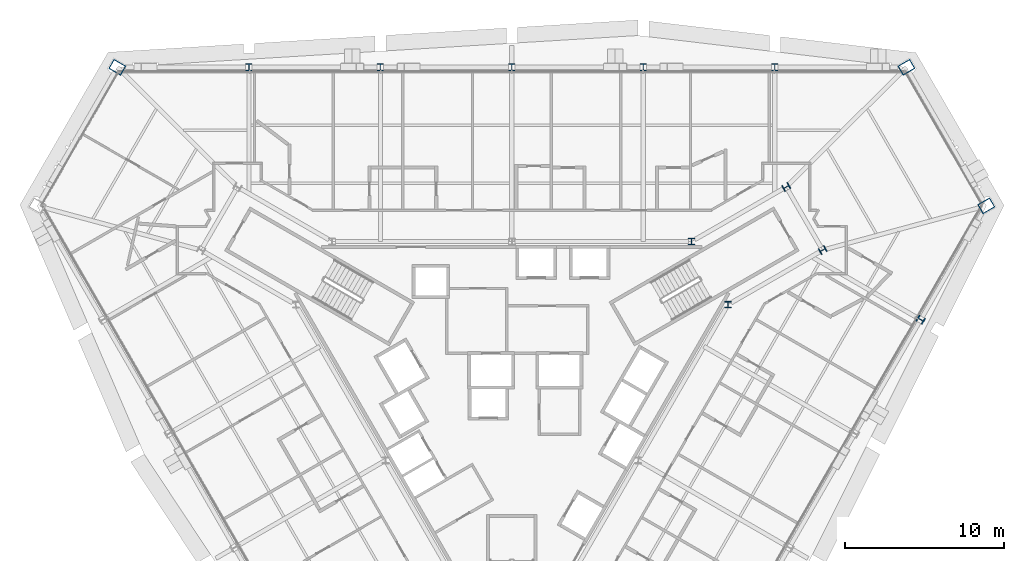
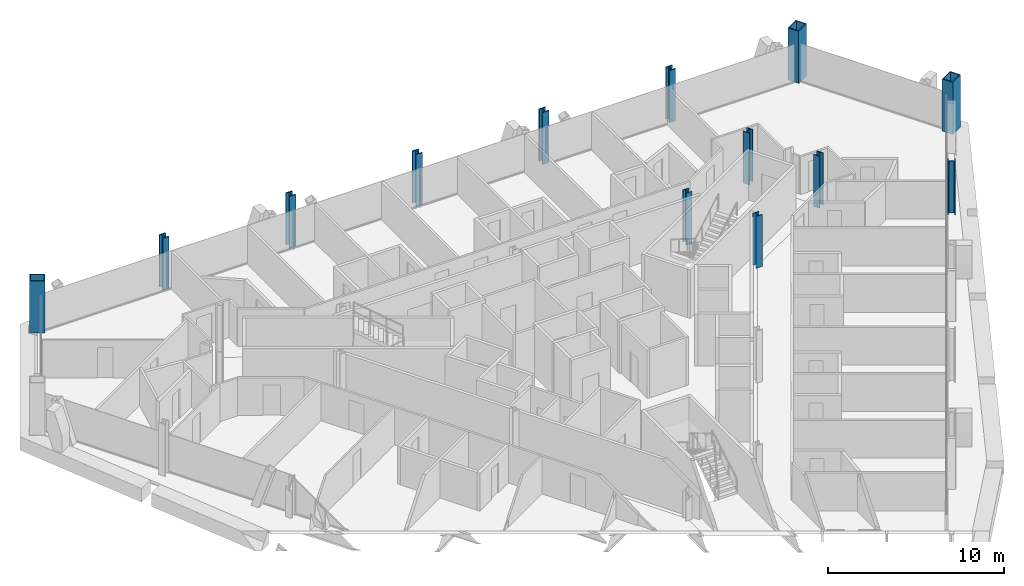
# One storey, part 2 of 17: 13 columns.
"""IFC4 building model written with IfcOpenShell, lengths in metres."""

from ifc_helpers import new_model, si_unit, direction, frame, origin, origin_2d, place, context, subcontext, project, spatial, hollow_rectangle, i_section, extrude, material, material_profile, profile_set, type_object, element, save


model = new_model("IFC4")

# Units and contexts
model_context = context("Model", 3, precision=1e-05, world=origin(), true_north=direction((0.0, 1.0)))
body_context = subcontext(model_context, "Body", "Model", "MODEL_VIEW")
ifc_project = project(units=[si_unit("LENGTHUNIT", "METRE"), si_unit("AREAUNIT", "SQUARE_METRE"), si_unit("VOLUMEUNIT", "CUBIC_METRE"), si_unit("PLANEANGLEUNIT", "RADIAN"), si_unit("MASSUNIT", "GRAM", prefix="KILO")], contexts=[model_context])

# Site, building, storey
site_placement = place(None, origin())
site = spatial("IfcSite", under=ifc_project, at=site_placement, CompositionType="ELEMENT")
building_placement = place(site_placement, origin())
building = spatial("IfcBuilding", under=site, at=building_placement, Name="Verrane Prism Tower", CompositionType="ELEMENT")
storey_placement = place(building_placement, frame((0.0, 0.0, 136.0)))
storey = spatial("IfcBuildingStorey", under=building, at=storey_placement, Name="L33", CompositionType="ELEMENT", Elevation=136.0)

# Columns
ifc_material_1 = material(Name="Steel A992", Category="steel")
ifc_material_profile_1 = material_profile(ifc_material_1, i_section(OverallWidth=0.411376953125, OverallDepth=0.434326171875, WebThickness=0.035888671875, FlangeThickness=0.057373046875, FilletRadius=0.01513671875, at=origin_2d()), Name="W14x311")
ifc_profile_set_1 = profile_set([ifc_material_profile_1], Name="Steel A992")
column_type_1 = type_object("IfcColumnType", Name="Core corner column W14x311", PredefinedType="COLUMN", material=ifc_profile_set_1)
for number, where, z_axis, x_axis, name in (
    (1, (19.60009765625, 8.659912109375, 0.0), (0.0, 0.0, 1.0), (0.5, -0.866025403784, 0.0), "Core corner column CK-NEm L33"),
    (2, (17.300048828125, 12.639892578125, 0.0), (0.0, 0.0, 1.0), (0.5, -0.866025403784, 0.0), "Core corner column CK-NEp L33"),
):
    element("IfcColumn", number, at=place(storey_placement, frame(where, z_axis=z_axis, x_axis=x_axis)), inside=storey, type_object=column_type_1, Name=name, PredefinedType="COLUMN", context=body_context, shape_type="SweptSolid", body=[
        extrude(i_section(OverallWidth=0.411376953125, OverallDepth=0.434326171875, WebThickness=0.035888671875, FlangeThickness=0.057373046875, FilletRadius=0.01513671875, at=origin_2d()), origin(), (0.0, 0.0, 1.0), 3.60009765625),
    ])
ifc_material_2 = material(Name="Steel A992", Category="steel")
ifc_material_profile_2 = material_profile(ifc_material_2, i_section(OverallWidth=0.4013671875, OverallDepth=0.398681640625, WebThickness=0.02490234375, FlangeThickness=0.03955078125, FilletRadius=0.01513671875, at=origin_2d()), Name="W14x211")
ifc_profile_set_2 = profile_set([ifc_material_profile_2], Name="Steel A992")
column_type_2 = type_object("IfcColumnType", Name="Core side column W14x211", PredefinedType="COLUMN", material=ifc_profile_set_2)
for number, where, z_axis, x_axis, name in (
    (3, (13.6298828125, 5.219970703125, 0.0), (0.0, 0.0, 1.0), (1.0, 0.0, 0.0), "Core side column CC-NEm L33"),
    (4, (11.330078125, 9.199951171875, 0.0), (0.0, 0.0, 1.0), (1.0, 0.0, 0.0), "Core side column CC-NEp L33"),
):
    element("IfcColumn", number, at=place(storey_placement, frame(where, z_axis=z_axis, x_axis=x_axis)), inside=storey, type_object=column_type_2, Name=name, PredefinedType="COLUMN", context=body_context, shape_type="SweptSolid", body=[
        extrude(i_section(OverallWidth=0.4013671875, OverallDepth=0.398681640625, WebThickness=0.02490234375, FlangeThickness=0.03955078125, FilletRadius=0.01513671875, at=origin_2d()), origin(), (0.0, 0.0, 1.0), 3.60009765625),
    ])
ifc_material_3 = material(Name="Steel A572 Grade 50", Category="steel")
ifc_material_profile_3 = material_profile(ifc_material_3, hollow_rectangle(XDim=0.699951171875, YDim=0.89990234375, WallThickness=0.06494140625, at=origin_2d()), Name="BOX 900x700x65")
ifc_profile_set_3 = profile_set([ifc_material_profile_3], Name="Steel A572 Grade 50")
column_type_3 = type_object("IfcColumnType", Name="Megacolumn BOX 900x700x65", PredefinedType="COLUMN", material=ifc_profile_set_3)
for number, where, z_axis, x_axis, name in (
    (5, (24.8798828125, 20.18994140625, 0.0), (0.0, 0.0, 1.0), (0.5, -0.866025403784, 0.0), "Megacolumn MC-NE.b L33"),
    (6, (-24.8798828125, 20.18994140625, 0.0), (0.0, 0.0, 1.0), (0.5, 0.866025403784, 0.0), "Megacolumn MC-NW.a L33"),
    (7, (29.919921875, 11.449951171875, 0.0), (0.0, 0.0, 1.0), (0.5, -0.866025403784, 0.0), "Megacolumn MC-NE.a L33"),
):
    element("IfcColumn", number, at=place(storey_placement, frame(where, z_axis=z_axis, x_axis=x_axis)), inside=storey, type_object=column_type_3, Name=name, PredefinedType="COLUMN", context=body_context, shape_type="SweptSolid", body=[
        extrude(hollow_rectangle(XDim=0.699951171875, YDim=0.89990234375, WallThickness=0.06494140625, at=origin_2d()), origin(), (0.0, 0.0, 1.0), 3.60009765625),
    ])
ifc_material_4 = material(Name="Steel A992", Category="steel")
ifc_material_profile_4 = material_profile(ifc_material_4, i_section(OverallWidth=0.419189453125, OverallDepth=0.45458984375, WebThickness=0.042236328125, FlangeThickness=0.067626953125, FilletRadius=0.01513671875, at=origin_2d()), Name="W14x370")
ifc_profile_set_4 = profile_set([ifc_material_profile_4], Name="Steel A992")
column_type_4 = type_object("IfcColumnType", Name="Perimeter column W14x370", PredefinedType="COLUMN", material=ifc_profile_set_4)
for number, where, z_axis, x_axis, name in (
    (8, (16.580078125, 20.18994140625, 0.0), (0.0, 0.0, 1.0), (1.0, 0.0, 0.0), "Perimeter column PC-N1 L33"),
    (9, (8.2900390625, 20.18994140625, 0.0), (0.0, 0.0, 1.0), (1.0, 0.0, 0.0), "Perimeter column PC-N2 L33"),
    (10, (0.0, 20.18994140625, 0.0), (0.0, 0.0, 1.0), (1.0, 0.0, 0.0), "Perimeter column PC-N3 L33"),
    (11, (-8.2900390625, 20.18994140625, 0.0), (0.0, 0.0, 1.0), (1.0, 0.0, 0.0), "Perimeter column PC-N4 L33"),
    (12, (-16.580078125, 20.18994140625, 0.0), (0.0, 0.0, 1.0), (1.0, 0.0, 0.0), "Perimeter column PC-N5 L33"),
    (13, (25.780029296875, 4.27001953125, 0.0), (0.0, 0.0, 1.0), (-0.5, -0.866025403784, 0.0), "Perimeter column PC-SE5 L33"),
):
    element("IfcColumn", number, at=place(storey_placement, frame(where, z_axis=z_axis, x_axis=x_axis)), inside=storey, type_object=column_type_4, Name=name, PredefinedType="COLUMN", context=body_context, shape_type="SweptSolid", body=[
        extrude(i_section(OverallWidth=0.419189453125, OverallDepth=0.45458984375, WebThickness=0.042236328125, FlangeThickness=0.067626953125, FilletRadius=0.01513671875, at=origin_2d()), origin(), (0.0, 0.0, 1.0), 3.60009765625),
    ])

save(model, "model.ifc")
